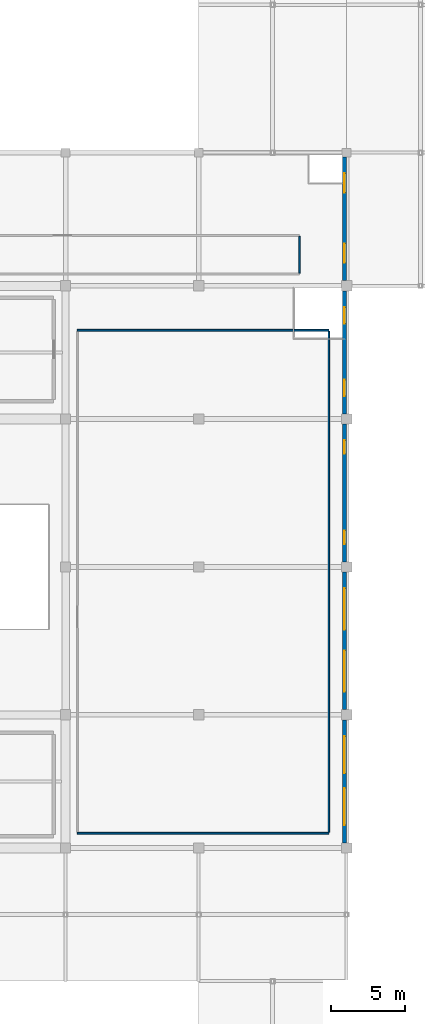
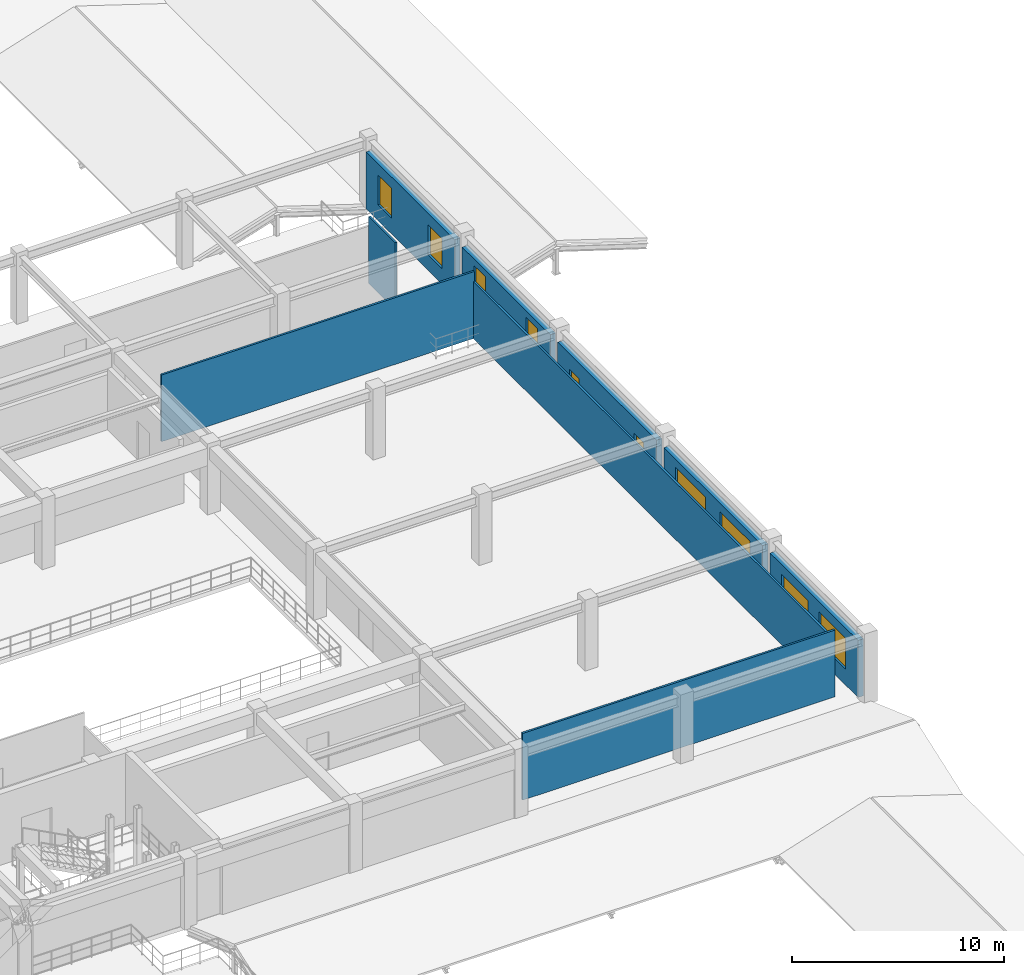
# One storey, part 100 of 110: 10 windows, 9 walls, 10 openings.
"""IFC4 building model written with IfcOpenShell, lengths in metres."""

from ifc_helpers import new_model, si_unit, direction, frame, frame_2d, origin, place, context, subcontext, project, spatial, rectangle, extrude, material, layer, layer_set, type_object, element, fill, save


model = new_model("IFC4")

# Units and contexts
model_context = context("Model", 3, precision=1e-05, world=origin(), true_north=direction((0.0, 1.0)))
body_context = subcontext(model_context, "Body", "Model", "MODEL_VIEW")
ifc_project = project(units=[si_unit("LENGTHUNIT", "METRE"), si_unit("AREAUNIT", "SQUARE_METRE"), si_unit("VOLUMEUNIT", "CUBIC_METRE"), si_unit("PLANEANGLEUNIT", "RADIAN"), si_unit("MASSUNIT", "GRAM", prefix="KILO")], contexts=[model_context])

# Site, building, storey
site_placement = place(None, origin())
site = spatial("IfcSite", under=ifc_project, at=site_placement, CompositionType="ELEMENT")
building_placement = place(site_placement, origin())
building = spatial("IfcBuilding", under=site, at=building_placement, Name="Miravela Opera House", CompositionType="ELEMENT")
storey_placement = place(building_placement, frame((0.0, 0.0, 13.60009765625)))
storey = spatial("IfcBuildingStorey", under=building, at=storey_placement, Name="L03", CompositionType="ELEMENT", Elevation=13.60009765625)

# Wall, openings, windows
ifc_material_1 = material(Name="Insulated cream lime-stuccoed masonry", Category="masonry")
ifc_layer_1 = layer(ifc_material_1, 0.2900390625)
ifc_layer_set_1 = layer_set([ifc_layer_1])
wall_type_1 = type_object("IfcWallType", Name="ARC-EW-STUCCO-290", PredefinedType="STANDARD", material=ifc_layer_set_1)
wall_1_placement = place(storey_placement, frame((153.85009765625, 37.35009765625, 0.0), z_axis=(0.0, 0.0, 1.0), x_axis=(0.0, 1.0, 0.0)))
wall_1 = element("IfcWall", 1, at=wall_1_placement, inside=storey, type_object=wall_type_1, Name="Spanish Colonial Stucco Facade Wall L03-048", PredefinedType="STANDARD", context=body_context, shape_type="SweptSolid", body=[
    extrude(rectangle(XDim=8.2998046875, YDim=0.2900390625, at=frame_2d((4.14990234375, 0.0))), origin(), (0.0, 0.0, 1.0), 3.27685546875),
])
opening_1_placement = place(wall_1_placement, frame((1.199951171875, 0.0, 0.89990234375)))
opening_1 = element("IfcOpeningElement", 2, at=opening_1_placement, cuts=wall_1, Name="Opening W-19", PredefinedType="OPENING", context=body_context, shape_type="SweptSolid", body=[
    extrude(rectangle(XDim=2.5, YDim=1.800048828125, at=frame_2d((1.25, 0.89990234375))), frame((0.0, 0.155029296875, 0.0), z_axis=(0.0, -1.0, 0.0), x_axis=(1.0, 0.0, 0.0)), (0.0, 0.0, 1.0), 0.31005859375),
])
opening_2_placement = place(wall_1_placement, frame((4.699951171875, 0.0, 0.89990234375)))
opening_2 = element("IfcOpeningElement", 3, at=opening_2_placement, cuts=wall_1, Name="Opening W-19", PredefinedType="OPENING", context=body_context, shape_type="SweptSolid", body=[
    extrude(rectangle(XDim=2.5, YDim=1.800048828125, at=frame_2d((1.25, 0.89990234375))), frame((0.0, 0.155029296875, 0.0), z_axis=(0.0, -1.0, 0.0), x_axis=(1.0, 0.0, 0.0)), (0.0, 0.0, 1.0), 0.31005859375),
])
ifc_material_2 = material(Name="Bronze-anodised aluminium and acoustic low-E glass", Category="aluminium")
window_type_1 = type_object("IfcWindowType", Name="ARC-WIN-19", PartitioningType="TRIPLE_PANEL_VERTICAL", PredefinedType="WINDOW", material=ifc_material_2)
window_1_placement = place(opening_1_placement, origin())
window_1 = element("IfcWindow", 4, at=window_1_placement, inside=storey, type_object=window_type_1, Name="Window W-19 #116", OverallHeight=1.800048828125, OverallWidth=2.5, PartitioningType="TRIPLE_PANEL_VERTICAL", PredefinedType="WINDOW", context=body_context, shape_type="SweptSolid", body=[
    extrude(rectangle(XDim=2.5, YDim=1.800048828125, at=frame_2d((1.25, 0.89990234375))), frame((0.0, 0.030029296875, 0.0), z_axis=(0.0, -1.0, 0.0), x_axis=(1.0, 0.0, 0.0)), (0.0, 0.0, 1.0), 0.06005859375),
])
fill(opening_1, window_1)
window_2_placement = place(opening_2_placement, origin())
window_2 = element("IfcWindow", 5, at=window_2_placement, inside=storey, type_object=window_type_1, Name="Window W-19 #117", OverallHeight=1.800048828125, OverallWidth=2.5, PartitioningType="TRIPLE_PANEL_VERTICAL", PredefinedType="WINDOW", context=body_context, shape_type="SweptSolid", body=[
    extrude(rectangle(XDim=2.5, YDim=1.800048828125, at=frame_2d((1.25, 0.89990234375))), frame((0.0, 0.030029296875, 0.0), z_axis=(0.0, -1.0, 0.0), x_axis=(1.0, 0.0, 0.0)), (0.0, 0.0, 1.0), 0.06005859375),
])
fill(opening_2, window_2)

wall_2_placement = place(storey_placement, frame((153.85009765625, 46.35009765625, 0.0), z_axis=(0.0, 0.0, 1.0), x_axis=(0.0, 1.0, 0.0)))
wall_2 = element("IfcWall", 6, at=wall_2_placement, inside=storey, type_object=wall_type_1, Name="Spanish Colonial Stucco Facade Wall L03-049", PredefinedType="STANDARD", context=body_context, shape_type="SweptSolid", body=[
    extrude(rectangle(XDim=9.2998046875, YDim=0.2900390625, at=frame_2d((4.64990234375, 0.0))), origin(), (0.0, 0.0, 1.0), 3.27685546875),
])
opening_3_placement = place(wall_2_placement, frame((1.199951171875, 0.0, 0.89990234375)))
opening_3 = element("IfcOpeningElement", 7, at=opening_3_placement, cuts=wall_2, Name="Opening W-20", PredefinedType="OPENING", context=body_context, shape_type="SweptSolid", body=[
    extrude(rectangle(XDim=2.800048828125, YDim=1.89990234375, at=frame_2d((1.39990234375, 0.949951171875))), frame((0.0, 0.155029296875, 0.0), z_axis=(0.0, -1.0, 0.0), x_axis=(1.0, 0.0, 0.0)), (0.0, 0.0, 1.0), 0.31005859375),
])
opening_4_placement = place(wall_2_placement, frame((5.39990234375, 0.0, 0.89990234375)))
opening_4 = element("IfcOpeningElement", 8, at=opening_4_placement, cuts=wall_2, Name="Opening W-20", PredefinedType="OPENING", context=body_context, shape_type="SweptSolid", body=[
    extrude(rectangle(XDim=2.800048828125, YDim=1.89990234375, at=frame_2d((1.39990234375, 0.949951171875))), frame((0.0, 0.155029296875, 0.0), z_axis=(0.0, -1.0, 0.0), x_axis=(1.0, 0.0, 0.0)), (0.0, 0.0, 1.0), 0.31005859375),
])
window_type_2 = type_object("IfcWindowType", Name="ARC-WIN-20", PartitioningType="TRIPLE_PANEL_VERTICAL", PredefinedType="WINDOW", material=ifc_material_2)
window_3_placement = place(opening_3_placement, origin())
window_3 = element("IfcWindow", 9, at=window_3_placement, inside=storey, type_object=window_type_2, Name="Window W-20 #118", OverallHeight=1.89990234375, OverallWidth=2.800048828125, PartitioningType="TRIPLE_PANEL_VERTICAL", PredefinedType="WINDOW", context=body_context, shape_type="SweptSolid", body=[
    extrude(rectangle(XDim=2.800048828125, YDim=1.89990234375, at=frame_2d((1.39990234375, 0.949951171875))), frame((0.0, 0.030029296875, 0.0), z_axis=(0.0, -1.0, 0.0), x_axis=(1.0, 0.0, 0.0)), (0.0, 0.0, 1.0), 0.06005859375),
])
fill(opening_3, window_3)
window_4_placement = place(opening_4_placement, origin())
window_4 = element("IfcWindow", 10, at=window_4_placement, inside=storey, type_object=window_type_2, Name="Window W-20 #119", OverallHeight=1.89990234375, OverallWidth=2.800048828125, PartitioningType="TRIPLE_PANEL_VERTICAL", PredefinedType="WINDOW", context=body_context, shape_type="SweptSolid", body=[
    extrude(rectangle(XDim=2.800048828125, YDim=1.89990234375, at=frame_2d((1.39990234375, 0.949951171875))), frame((0.0, 0.030029296875, 0.0), z_axis=(0.0, -1.0, 0.0), x_axis=(1.0, 0.0, 0.0)), (0.0, 0.0, 1.0), 0.06005859375),
])
fill(opening_4, window_4)

wall_3_placement = place(storey_placement, frame((153.85009765625, 56.35009765625, 0.0), z_axis=(0.0, 0.0, 1.0), x_axis=(0.0, 1.0, 0.0)))
wall_3 = element("IfcWall", 11, at=wall_3_placement, inside=storey, type_object=wall_type_1, Name="Spanish Colonial Stucco Facade Wall L03-050", PredefinedType="STANDARD", context=body_context, shape_type="SweptSolid", body=[
    extrude(rectangle(XDim=9.2998046875, YDim=0.2900390625, at=frame_2d((4.64990234375, 0.0))), origin(), (0.0, 0.0, 1.0), 3.27685546875),
])
opening_5_placement = place(wall_3_placement, frame((1.199951171875, 0.0, 0.89990234375)))
opening_5 = element("IfcOpeningElement", 12, at=opening_5_placement, cuts=wall_3, Name="Opening W-21", PredefinedType="OPENING", context=body_context, shape_type="SweptSolid", body=[
    extrude(rectangle(XDim=0.89990234375, YDim=1.5, at=frame_2d((0.449951171875, 0.75))), frame((0.0, 0.155029296875, 0.0), z_axis=(0.0, -1.0, 0.0), x_axis=(1.0, 0.0, 0.0)), (0.0, 0.0, 1.0), 0.31005859375),
])
opening_6_placement = place(wall_3_placement, frame((7.300048828125, 0.0, 0.89990234375)))
opening_6 = element("IfcOpeningElement", 13, at=opening_6_placement, cuts=wall_3, Name="Opening W-21", PredefinedType="OPENING", context=body_context, shape_type="SweptSolid", body=[
    extrude(rectangle(XDim=0.89990234375, YDim=1.5, at=frame_2d((0.449951171875, 0.75))), frame((0.0, 0.155029296875, 0.0), z_axis=(0.0, -1.0, 0.0), x_axis=(1.0, 0.0, 0.0)), (0.0, 0.0, 1.0), 0.31005859375),
])
window_type_3 = type_object("IfcWindowType", Name="ARC-WIN-21", PartitioningType="SINGLE_PANEL", PredefinedType="WINDOW", material=ifc_material_2)
window_5_placement = place(opening_5_placement, origin())
window_5 = element("IfcWindow", 14, at=window_5_placement, inside=storey, type_object=window_type_3, Name="Window W-21 #120", OverallHeight=1.5, OverallWidth=0.89990234375, PartitioningType="SINGLE_PANEL", PredefinedType="WINDOW", context=body_context, shape_type="SweptSolid", body=[
    extrude(rectangle(XDim=0.89990234375, YDim=1.5, at=frame_2d((0.449951171875, 0.75))), frame((0.0, 0.030029296875, 0.0), z_axis=(0.0, -1.0, 0.0), x_axis=(1.0, 0.0, 0.0)), (0.0, 0.0, 1.0), 0.06005859375),
])
fill(opening_5, window_5)
window_6_placement = place(opening_6_placement, origin())
window_6 = element("IfcWindow", 15, at=window_6_placement, inside=storey, type_object=window_type_3, Name="Window W-21 #121", OverallHeight=1.5, OverallWidth=0.89990234375, PartitioningType="SINGLE_PANEL", PredefinedType="WINDOW", context=body_context, shape_type="SweptSolid", body=[
    extrude(rectangle(XDim=0.89990234375, YDim=1.5, at=frame_2d((0.449951171875, 0.75))), frame((0.0, 0.030029296875, 0.0), z_axis=(0.0, -1.0, 0.0), x_axis=(1.0, 0.0, 0.0)), (0.0, 0.0, 1.0), 0.06005859375),
])
fill(opening_6, window_6)

wall_4_placement = place(storey_placement, frame((153.85009765625, 66.35009765625, 0.0), z_axis=(0.0, 0.0, 1.0), x_axis=(0.0, 1.0, 0.0)))
wall_4 = element("IfcWall", 16, at=wall_4_placement, inside=storey, type_object=wall_type_1, Name="Spanish Colonial Stucco Facade Wall L03-051", PredefinedType="STANDARD", context=body_context, shape_type="SweptSolid", body=[
    extrude(rectangle(XDim=8.2998046875, YDim=0.2900390625, at=frame_2d((4.14990234375, 0.0))), origin(), (0.0, 0.0, 1.0), 3.27685546875),
])
opening_7_placement = place(wall_4_placement, frame((1.199951171875, 0.0, 0.89990234375)))
opening_7 = element("IfcOpeningElement", 17, at=opening_7_placement, cuts=wall_4, Name="Opening W-22", PredefinedType="OPENING", context=body_context, shape_type="SweptSolid", body=[
    extrude(rectangle(XDim=1.10009765625, YDim=2.0, at=frame_2d((0.550048828125, 1.0))), frame((0.0, 0.155029296875, 0.0), z_axis=(0.0, -1.0, 0.0), x_axis=(1.0, 0.0, 0.0)), (0.0, 0.0, 1.0), 0.31005859375),
])
opening_8_placement = place(wall_4_placement, frame((6.10009765625, 0.0, 0.89990234375)))
opening_8 = element("IfcOpeningElement", 18, at=opening_8_placement, cuts=wall_4, Name="Opening W-22", PredefinedType="OPENING", context=body_context, shape_type="SweptSolid", body=[
    extrude(rectangle(XDim=1.10009765625, YDim=2.0, at=frame_2d((0.550048828125, 1.0))), frame((0.0, 0.155029296875, 0.0), z_axis=(0.0, -1.0, 0.0), x_axis=(1.0, 0.0, 0.0)), (0.0, 0.0, 1.0), 0.31005859375),
])
window_type_4 = type_object("IfcWindowType", Name="ARC-WIN-22", PartitioningType="SINGLE_PANEL", PredefinedType="WINDOW", material=ifc_material_2)
window_7_placement = place(opening_7_placement, origin())
window_7 = element("IfcWindow", 19, at=window_7_placement, inside=storey, type_object=window_type_4, Name="Window W-22 #122", OverallHeight=2.0, OverallWidth=1.10009765625, PartitioningType="SINGLE_PANEL", PredefinedType="WINDOW", context=body_context, shape_type="SweptSolid", body=[
    extrude(rectangle(XDim=1.10009765625, YDim=2.0, at=frame_2d((0.550048828125, 1.0))), frame((0.0, 0.030029296875, 0.0), z_axis=(0.0, -1.0, 0.0), x_axis=(1.0, 0.0, 0.0)), (0.0, 0.0, 1.0), 0.06005859375),
])
fill(opening_7, window_7)
window_8_placement = place(opening_8_placement, origin())
window_8 = element("IfcWindow", 20, at=window_8_placement, inside=storey, type_object=window_type_4, Name="Window W-22 #123", OverallHeight=2.0, OverallWidth=1.10009765625, PartitioningType="SINGLE_PANEL", PredefinedType="WINDOW", context=body_context, shape_type="SweptSolid", body=[
    extrude(rectangle(XDim=1.10009765625, YDim=2.0, at=frame_2d((0.550048828125, 1.0))), frame((0.0, 0.030029296875, 0.0), z_axis=(0.0, -1.0, 0.0), x_axis=(1.0, 0.0, 0.0)), (0.0, 0.0, 1.0), 0.06005859375),
])
fill(opening_8, window_8)

wall_5_placement = place(storey_placement, frame((153.85009765625, 75.35009765625, 0.0), z_axis=(0.0, 0.0, 1.0), x_axis=(0.0, 1.0, 0.0)))
wall_5 = element("IfcWall", 21, at=wall_5_placement, inside=storey, type_object=wall_type_1, Name="Spanish Colonial Stucco Facade Wall L03-052", PredefinedType="STANDARD", context=body_context, shape_type="SweptSolid", body=[
    extrude(rectangle(XDim=8.349853515625, YDim=0.2900390625, at=frame_2d((4.1748046875, 0.0))), origin(), (0.0, 0.0, 1.0), 3.27685546875),
])
opening_9_placement = place(wall_5_placement, frame((1.199951171875, 0.0, 0.89990234375)))
opening_9 = element("IfcOpeningElement", 22, at=opening_9_placement, cuts=wall_5, Name="Opening W-30", PredefinedType="OPENING", context=body_context, shape_type="SweptSolid", body=[
    extrude(rectangle(XDim=1.300048828125, YDim=1.719970703125, at=frame_2d((0.64990234375, 0.85986328125))), frame((0.0, 0.155029296875, 0.0), z_axis=(0.0, -1.0, 0.0), x_axis=(1.0, 0.0, 0.0)), (0.0, 0.0, 1.0), 0.31005859375),
])
opening_10_placement = place(wall_5_placement, frame((5.949951171875, 0.0, 0.89990234375)))
opening_10 = element("IfcOpeningElement", 23, at=opening_10_placement, cuts=wall_5, Name="Opening W-30", PredefinedType="OPENING", context=body_context, shape_type="SweptSolid", body=[
    extrude(rectangle(XDim=1.300048828125, YDim=1.719970703125, at=frame_2d((0.64990234375, 0.85986328125))), frame((0.0, 0.155029296875, 0.0), z_axis=(0.0, -1.0, 0.0), x_axis=(1.0, 0.0, 0.0)), (0.0, 0.0, 1.0), 0.31005859375),
])
window_type_5 = type_object("IfcWindowType", Name="ARC-WIN-30", PartitioningType="SINGLE_PANEL", PredefinedType="WINDOW", material=ifc_material_2)
window_9_placement = place(opening_9_placement, origin())
window_9 = element("IfcWindow", 24, at=window_9_placement, inside=storey, type_object=window_type_5, Name="Window W-30 #124", OverallHeight=1.719970703125, OverallWidth=1.300048828125, PartitioningType="SINGLE_PANEL", PredefinedType="WINDOW", context=body_context, shape_type="SweptSolid", body=[
    extrude(rectangle(XDim=1.300048828125, YDim=1.719970703125, at=frame_2d((0.64990234375, 0.85986328125))), frame((0.0, 0.030029296875, 0.0), z_axis=(0.0, -1.0, 0.0), x_axis=(1.0, 0.0, 0.0)), (0.0, 0.0, 1.0), 0.06005859375),
])
fill(opening_9, window_9)
window_10_placement = place(opening_10_placement, origin())
window_10 = element("IfcWindow", 25, at=window_10_placement, inside=storey, type_object=window_type_5, Name="Window W-30 #125", OverallHeight=1.719970703125, OverallWidth=1.300048828125, PartitioningType="SINGLE_PANEL", PredefinedType="WINDOW", context=body_context, shape_type="SweptSolid", body=[
    extrude(rectangle(XDim=1.300048828125, YDim=1.719970703125, at=frame_2d((0.64990234375, 0.85986328125))), frame((0.0, 0.030029296875, 0.0), z_axis=(0.0, -1.0, 0.0), x_axis=(1.0, 0.0, 0.0)), (0.0, 0.0, 1.0), 0.06005859375),
])
fill(opening_10, window_10)

# Walls
ifc_material_3 = material(Name="Double-layer acoustic gypsum partition")
ifc_layer_2 = layer(ifc_material_3, 0.110107421875)
ifc_layer_set_2 = layer_set([ifc_layer_2])
wall_type_2 = type_object("IfcWallType", Name="ARC-PT-110", PredefinedType="PARTITIONING", material=ifc_layer_set_2)
wall_6_placement = place(storey_placement, frame((150.800048828125, 75.85498046875, 0.0), z_axis=(0.0, 0.0, 1.0), x_axis=(0.0, 1.0, 0.0)))
element("IfcWall", 26, at=wall_6_placement, inside=storey, type_object=wall_type_2, Name="Orchestra Ensemble Practice Suite Partition East", PredefinedType="PARTITIONING", context=body_context, shape_type="SweptSolid", body=[
    extrude(rectangle(XDim=2.489990234375, YDim=0.110107421875, at=frame_2d((1.2451171875, 0.0))), origin(), (0.0, 0.0, 1.0), 3.83984375),
])
for number, where, z_axis, x_axis, name in (
    (27, (135.800048828125, 38.0, 0.0), (0.0, 0.0, 1.0), (1.0, 0.0, 0.0), "Stage Automation and Surtitle Studio Partition South"),
    (28, (135.800048828125, 72.0, 0.0), (0.0, 0.0, 1.0), (1.0, 0.0, 0.0), "Stage Automation and Surtitle Studio Partition North"),
):
    element("IfcWall", number, at=place(storey_placement, frame(where, z_axis=z_axis, x_axis=x_axis)), inside=storey, type_object=wall_type_2, Name=name, PredefinedType="PARTITIONING", context=body_context, shape_type="SweptSolid", body=[
        extrude(rectangle(XDim=17.0, YDim=0.110107421875, at=frame_2d((8.5, 0.0))), origin(), (0.0, 0.0, 1.0), 3.83984375),
    ])
wall_7_placement = place(storey_placement, frame((152.800048828125, 38.054931640625, 0.0), z_axis=(0.0, 0.0, 1.0), x_axis=(0.0, 1.0, 0.0)))
element("IfcWall", 29, at=wall_7_placement, inside=storey, type_object=wall_type_2, Name="Stage Automation and Surtitle Studio Partition East", PredefinedType="PARTITIONING", context=body_context, shape_type="SweptSolid", body=[
    extrude(rectangle(XDim=33.89013671875, YDim=0.110107421875, at=frame_2d((16.945068359375, 0.0))), origin(), (0.0, 0.0, 1.0), 3.27685546875),
])

save(model, "model.ifc")
